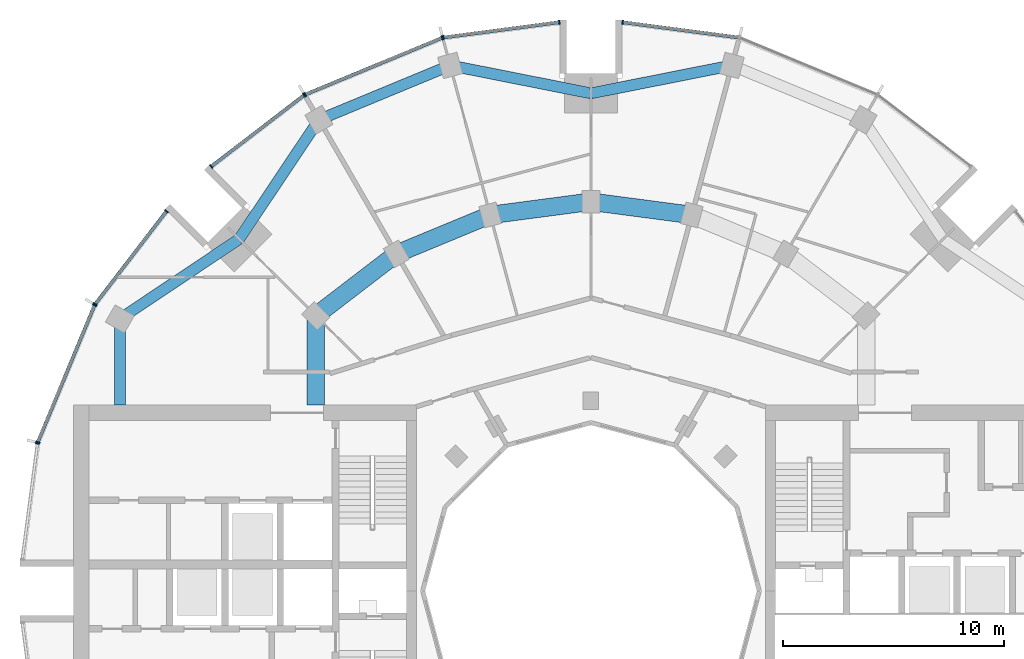
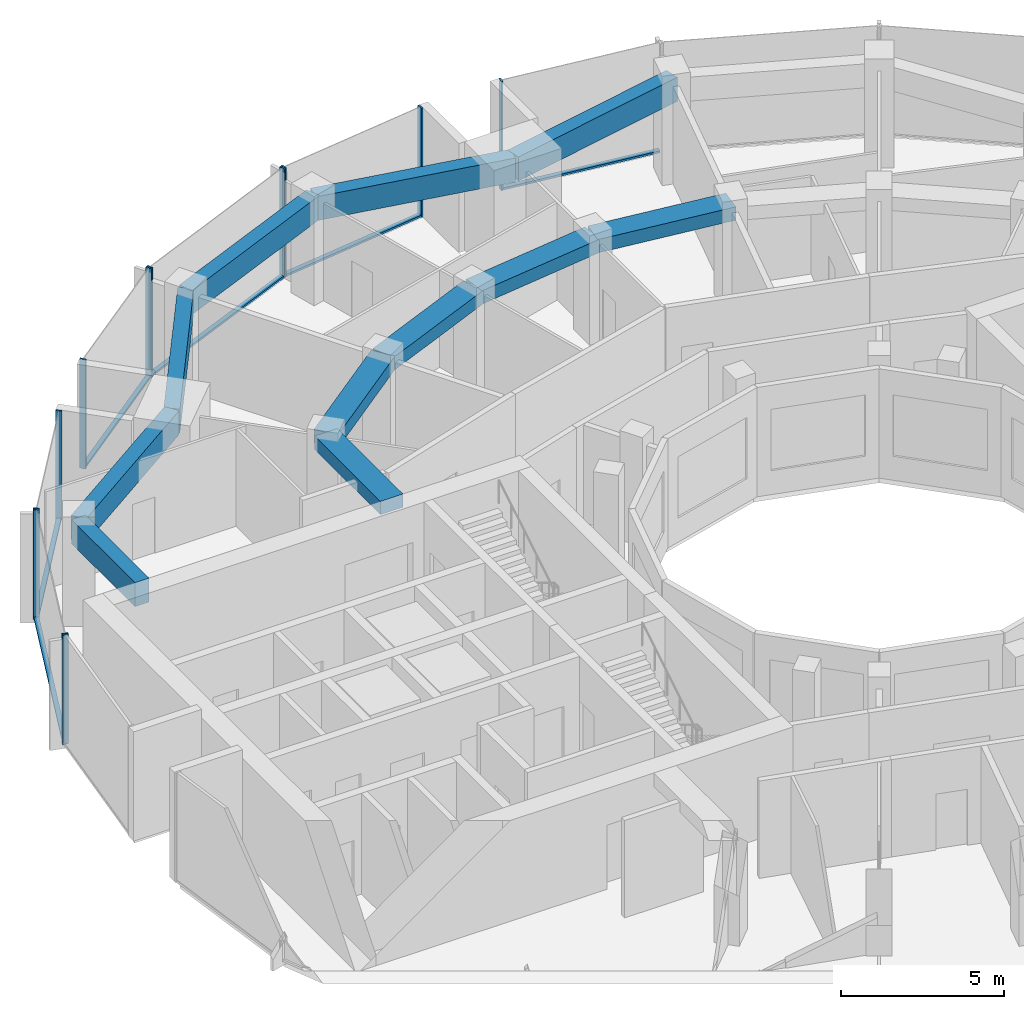
# One storey, part 5 of 15: 18 members, 11 beams, 7 elements without a shape of their own.
"""IFC4 building model written with IfcOpenShell, lengths in metres."""

from ifc_helpers import new_model, si_unit, direction, frame, origin, origin_2d, place, context, subcontext, project, spatial, rectangle, extrude, material, layer, layer_set, material_profile, profile_set, type_object, element, aggregate, save


model = new_model("IFC4")

# Units and contexts
model_context = context("Model", 3, precision=1e-05, world=origin(), true_north=direction((0.0, 1.0)))
body_context = subcontext(model_context, "Body", "Model", "MODEL_VIEW")
ifc_project = project(units=[si_unit("LENGTHUNIT", "METRE"), si_unit("AREAUNIT", "SQUARE_METRE"), si_unit("VOLUMEUNIT", "CUBIC_METRE"), si_unit("PLANEANGLEUNIT", "RADIAN"), si_unit("MASSUNIT", "GRAM", prefix="KILO")], contexts=[model_context])

# Site, building, storey
site_placement = place(None, origin())
site = spatial("IfcSite", under=ifc_project, at=site_placement, CompositionType="ELEMENT")
building_placement = place(site_placement, origin())
building = spatial("IfcBuilding", under=site, at=building_placement, Name="Torre Brocal", CompositionType="ELEMENT")
storey_placement = place(building_placement, frame((0.0, 0.0, 178.199951171875)))
storey = spatial("IfcBuildingStorey", under=building, at=storey_placement, Name="L41", CompositionType="ELEMENT", Elevation=178.199951171875)

# Curtain wall, member
ifc_material_1 = material(Name="Aluminium and glass", Category="aluminium")
ifc_layer_1 = layer(ifc_material_1, 0.199951171875)
ifc_layer_set_1 = layer_set([ifc_layer_1], Name="Aluminium and glass")
curtain_wall_type_1 = type_object("IfcCurtainWallType", Name="CW-1 CURTAIN WALL 4100 HIGH", PredefinedType="NOTDEFINED", material=ifc_layer_set_1)
curtain_wall_1_placement = place(storey_placement, origin())
curtain_wall_1 = element("IfcCurtainWall", 1, at=curtain_wall_1_placement, inside=storey, type_object=curtain_wall_type_1, Name="CW-1 RUN 6", PredefinedType="NOTDEFINED")
ifc_material_2 = material(Name="Aluminium, dark anodised", Category="aluminium")
ifc_material_profile_1 = material_profile(ifc_material_2, rectangle(XDim=0.199951171875, YDim=0.06005859375, at=origin_2d()), Name="CW-1 MULLION 60X200")
ifc_profile_set_1 = profile_set([ifc_material_profile_1], Name="Aluminium, dark anodised")
member_type_1 = type_object("IfcMemberType", Name="CW-1 MULLION 60X200", PredefinedType="MULLION", material=ifc_profile_set_1)
member_1_placement = place(storey_placement, frame((81.4296875, 100.7109375, 0.0), z_axis=(0.0, 0.0, 1.0), x_axis=(-0.13052619222, -0.991444861374, 0.0)))
member_1 = element("IfcMember", 2, at=member_1_placement, type_object=member_type_1, Name="CW1-4 mullion 2", PredefinedType="MULLION", context=body_context, shape_type="SweptSolid", body=[
    extrude(rectangle(XDim=0.199951171875, YDim=0.06005859375, at=origin_2d()), origin(), (0.0, 0.0, 1.0), 4.10009765625),
])

# Curtain wall, members
curtain_wall_2_placement = place(storey_placement, origin())
curtain_wall_2 = element("IfcCurtainWall", 3, at=curtain_wall_2_placement, inside=storey, type_object=curtain_wall_type_1, Name="CW-1 RUN 7", PredefinedType="NOTDEFINED")
member_2_placement = place(storey_placement, frame((78.5703125, 100.7109375, 0.0), z_axis=(0.0, 0.0, 1.0), x_axis=(0.13052619222, -0.991444861374, 0.0)))
member_2 = element("IfcMember", 4, at=member_2_placement, type_object=member_type_1, Name="CW1-4 mullion 1", PredefinedType="MULLION", context=body_context, shape_type="SweptSolid", body=[
    extrude(rectangle(XDim=0.199951171875, YDim=0.06005859375, at=origin_2d()), origin(), (0.0, 0.0, 1.0), 4.10009765625),
])
member_3_placement = place(storey_placement, frame((73.32666015625, 100.0205078125, 0.0), z_axis=(0.0, 0.0, 1.0), x_axis=(0.13052619222, -0.991444861374, 0.0)))
member_3 = element("IfcMember", 5, at=member_3_placement, type_object=member_type_1, Name="CW1-4 mullion 2", PredefinedType="MULLION", context=body_context, shape_type="SweptSolid", body=[
    extrude(rectangle(XDim=0.199951171875, YDim=0.06005859375, at=origin_2d()), origin(), (0.0, 0.0, 1.0), 4.10009765625),
])

curtain_wall_3_placement = place(storey_placement, origin())
curtain_wall_3 = element("IfcCurtainWall", 6, at=curtain_wall_3_placement, inside=storey, type_object=curtain_wall_type_1, Name="CW-1 RUN 8", PredefinedType="NOTDEFINED")
member_4_placement = place(storey_placement, frame((73.26904296875, 100.005126953125, 0.0), z_axis=(0.0, 0.0, 1.0), x_axis=(0.382683432333, -0.923879532525, 0.0)))
member_4 = element("IfcMember", 7, at=member_4_placement, type_object=member_type_1, Name="CW1-4 mullion 1", PredefinedType="MULLION", context=body_context, shape_type="SweptSolid", body=[
    extrude(rectangle(XDim=0.199951171875, YDim=0.06005859375, at=origin_2d()), origin(), (0.0, 0.0, 1.0), 4.10009765625),
])
member_5_placement = place(storey_placement, frame((67.078125, 97.440673828125, 0.0), z_axis=(0.0, 0.0, 1.0), x_axis=(0.382683432333, -0.923879532525, 0.0)))
member_5 = element("IfcMember", 8, at=member_5_placement, type_object=member_type_1, Name="CW1-4 mullion 2", PredefinedType="MULLION", context=body_context, shape_type="SweptSolid", body=[
    extrude(rectangle(XDim=0.199951171875, YDim=0.06005859375, at=origin_2d()), origin(), (0.0, 0.0, 1.0), 4.10009765625),
])

curtain_wall_4_placement = place(storey_placement, origin())
curtain_wall_4 = element("IfcCurtainWall", 9, at=curtain_wall_4_placement, inside=storey, type_object=curtain_wall_type_1, Name="CW-1 RUN 9", PredefinedType="NOTDEFINED")
member_6_placement = place(storey_placement, frame((67.026611328125, 97.4111328125, 0.0), z_axis=(0.0, 0.0, 1.0), x_axis=(0.60876142905, -0.793353340259, 0.0)))
member_6 = element("IfcMember", 10, at=member_6_placement, type_object=member_type_1, Name="CW1-4 mullion 1", PredefinedType="MULLION", context=body_context, shape_type="SweptSolid", body=[
    extrude(rectangle(XDim=0.199951171875, YDim=0.06005859375, at=origin_2d()), origin(), (0.0, 0.0, 1.0), 4.10009765625),
])
member_7_placement = place(storey_placement, frame((62.83056640625, 94.19140625, 0.0), z_axis=(0.0, 0.0, 1.0), x_axis=(0.60876142905, -0.793353340259, 0.0)))
member_7 = element("IfcMember", 11, at=member_7_placement, type_object=member_type_1, Name="CW1-4 mullion 2", PredefinedType="MULLION", context=body_context, shape_type="SweptSolid", body=[
    extrude(rectangle(XDim=0.199951171875, YDim=0.06005859375, at=origin_2d()), origin(), (0.0, 0.0, 1.0), 4.10009765625),
])

curtain_wall_5_placement = place(storey_placement, origin())
curtain_wall_5 = element("IfcCurtainWall", 12, at=curtain_wall_5_placement, inside=storey, type_object=curtain_wall_type_1, Name="CW-1 RUN 10", PredefinedType="NOTDEFINED")
member_8_placement = place(storey_placement, frame((60.80859375, 92.16943359375, 0.0), z_axis=(0.0, 0.0, 1.0), x_axis=(0.793353340259, -0.60876142905, 0.0)))
member_8 = element("IfcMember", 13, at=member_8_placement, type_object=member_type_1, Name="CW1-4 mullion 1", PredefinedType="MULLION", context=body_context, shape_type="SweptSolid", body=[
    extrude(rectangle(XDim=0.199951171875, YDim=0.06005859375, at=origin_2d()), origin(), (0.0, 0.0, 1.0), 4.10009765625),
])
member_9_placement = place(storey_placement, frame((57.5888671875, 87.973388671875, 0.0), z_axis=(0.0, 0.0, 1.0), x_axis=(0.793353340259, -0.60876142905, 0.0)))
member_9 = element("IfcMember", 14, at=member_9_placement, type_object=member_type_1, Name="CW1-4 mullion 2", PredefinedType="MULLION", context=body_context, shape_type="SweptSolid", body=[
    extrude(rectangle(XDim=0.199951171875, YDim=0.06005859375, at=origin_2d()), origin(), (0.0, 0.0, 1.0), 4.10009765625),
])

curtain_wall_6_placement = place(storey_placement, origin())
curtain_wall_6 = element("IfcCurtainWall", 15, at=curtain_wall_6_placement, inside=storey, type_object=curtain_wall_type_1, Name="CW-1 RUN 11", PredefinedType="NOTDEFINED")
member_10_placement = place(storey_placement, frame((57.559326171875, 87.921875, 0.0), z_axis=(0.0, 0.0, 1.0), x_axis=(0.923879532525, -0.382683432333, 0.0)))
member_10 = element("IfcMember", 16, at=member_10_placement, type_object=member_type_1, Name="CW1-4 mullion 1", PredefinedType="MULLION", context=body_context, shape_type="SweptSolid", body=[
    extrude(rectangle(XDim=0.199951171875, YDim=0.06005859375, at=origin_2d()), origin(), (0.0, 0.0, 1.0), 4.10009765625),
])
member_11_placement = place(storey_placement, frame((54.994873046875, 81.73095703125, 0.0), z_axis=(0.0, 0.0, 1.0), x_axis=(0.923879532525, -0.382683432333, 0.0)))
member_11 = element("IfcMember", 17, at=member_11_placement, type_object=member_type_1, Name="CW1-4 mullion 2", PredefinedType="MULLION", context=body_context, shape_type="SweptSolid", body=[
    extrude(rectangle(XDim=0.199951171875, YDim=0.06005859375, at=origin_2d()), origin(), (0.0, 0.0, 1.0), 4.10009765625),
])

# Member
ifc_material_3 = material(Name="Aluminium, dark anodised", Category="aluminium")
ifc_material_profile_2 = material_profile(ifc_material_3, rectangle(XDim=0.159912109375, YDim=0.080078125, at=origin_2d()), Name="CW-1 TRANSOM 160X80")
ifc_profile_set_2 = profile_set([ifc_material_profile_2], Name="Aluminium, dark anodised")
member_type_2 = type_object("IfcMemberType", Name="CW-1 TRANSOM 160X80", PredefinedType="USERDEFINED", material=ifc_profile_set_2)
member_12_placement = place(storey_placement, frame((86.643798828125, 100.0244140625, 0.0400390625), z_axis=(-0.991442690863, 0.130542677827, 0.0), x_axis=(-0.130542677827, -0.991442690863, 0.0)))
member_12 = element("IfcMember", 18, at=member_12_placement, type_object=member_type_2, Name="CW1-4 transom 1.1", ObjectType="TRANSOM", PredefinedType="USERDEFINED", context=body_context, shape_type="SweptSolid", body=[
    extrude(rectangle(XDim=0.159912109375, YDim=0.080078125, at=origin_2d()), origin(), (0.0, 0.0, 1.0), 5.22900390625),
])

aggregate(curtain_wall_1, [member_1, member_12])

member_13_placement = place(storey_placement, frame((78.54052734375, 100.70703125, 0.0400390625), z_axis=(-0.991442690863, -0.130542677827, 0.0), x_axis=(0.130542677827, -0.991442690863, 0.0)))
member_13 = element("IfcMember", 19, at=member_13_placement, type_object=member_type_2, Name="CW1-4 transom 1.1", ObjectType="TRANSOM", PredefinedType="USERDEFINED", context=body_context, shape_type="SweptSolid", body=[
    extrude(rectangle(XDim=0.159912109375, YDim=0.080078125, at=origin_2d()), origin(), (0.0, 0.0, 1.0), 5.22900390625),
])

aggregate(curtain_wall_2, [member_2, member_3, member_13])

member_14_placement = place(storey_placement, frame((73.241455078125, 99.99365234375, 0.0400390625), z_axis=(-0.923887344364, -0.38266457234, 0.0), x_axis=(0.38266457234, -0.923887344364, 0.0)))
member_14 = element("IfcMember", 20, at=member_14_placement, type_object=member_type_2, Name="CW1-4 transom 1.1", ObjectType="TRANSOM", PredefinedType="USERDEFINED", context=body_context, shape_type="SweptSolid", body=[
    extrude(rectangle(XDim=0.159912109375, YDim=0.080078125, at=origin_2d()), origin(), (0.0, 0.0, 1.0), 6.640869140625),
])

aggregate(curtain_wall_3, [member_4, member_5, member_14])

member_15_placement = place(storey_placement, frame((67.0029296875, 97.392822265625, 0.0400390625), z_axis=(-0.79336281513, -0.60874908096, 0.0), x_axis=(0.60874908096, -0.79336281513, 0.0)))
member_15 = element("IfcMember", 21, at=member_15_placement, type_object=member_type_2, Name="CW1-4 transom 1.1", ObjectType="TRANSOM", PredefinedType="USERDEFINED", context=body_context, shape_type="SweptSolid", body=[
    extrude(rectangle(XDim=0.159912109375, YDim=0.080078125, at=origin_2d()), origin(), (0.0, 0.0, 1.0), 5.22900390625),
])

aggregate(curtain_wall_4, [member_6, member_7, member_15])

member_16_placement = place(storey_placement, frame((60.790283203125, 92.1455078125, 0.0400390625), z_axis=(-0.60874908096, -0.79336281513, 0.0), x_axis=(0.79336281513, -0.60874908096, 0.0)))
member_16 = element("IfcMember", 22, at=member_16_placement, type_object=member_type_2, Name="CW1-4 transom 1.1", ObjectType="TRANSOM", PredefinedType="USERDEFINED", context=body_context, shape_type="SweptSolid", body=[
    extrude(rectangle(XDim=0.159912109375, YDim=0.080078125, at=origin_2d()), origin(), (0.0, 0.0, 1.0), 5.22900390625),
])

aggregate(curtain_wall_5, [member_8, member_9, member_16])

member_17_placement = place(storey_placement, frame((57.547607421875, 87.89404296875, 0.0400390625), z_axis=(-0.38266457234, -0.923887344364, 0.0), x_axis=(0.923887344364, -0.38266457234, 0.0)))
member_17 = element("IfcMember", 23, at=member_17_placement, type_object=member_type_2, Name="CW1-4 transom 1.1", ObjectType="TRANSOM", PredefinedType="USERDEFINED", context=body_context, shape_type="SweptSolid", body=[
    extrude(rectangle(XDim=0.159912109375, YDim=0.080078125, at=origin_2d()), origin(), (0.0, 0.0, 1.0), 6.640869140625),
])

aggregate(curtain_wall_6, [member_10, member_11, member_17])

# Curtain wall, member
ifc_material_4 = material(Name="Aluminium and glass", Category="aluminium")
ifc_layer_2 = layer(ifc_material_4, 0.199951171875)
ifc_layer_set_2 = layer_set([ifc_layer_2], Name="Aluminium and glass")
curtain_wall_type_2 = type_object("IfcCurtainWallType", Name="CW-1B CURTAIN WALL 4100 HIGH", PredefinedType="NOTDEFINED", material=ifc_layer_set_2)
curtain_wall_7_placement = place(storey_placement, origin())
curtain_wall_7 = element("IfcCurtainWall", 24, at=curtain_wall_7_placement, inside=storey, type_object=curtain_wall_type_2, Name="CW-1B RUN 12", PredefinedType="NOTDEFINED")
ifc_material_5 = material(Name="Aluminium, dark anodised", Category="aluminium")
ifc_material_profile_3 = material_profile(ifc_material_5, rectangle(XDim=0.199951171875, YDim=0.06005859375, at=origin_2d()), Name="CW-1B MULLION 60X200")
ifc_profile_set_3 = profile_set([ifc_material_profile_3], Name="Aluminium, dark anodised")
member_type_3 = type_object("IfcMemberType", Name="CW-1B MULLION 60X200", PredefinedType="MULLION", material=ifc_profile_set_3)
member_18_placement = place(storey_placement, frame((54.9794921875, 81.67333984375, 0.0), z_axis=(0.0, 0.0, 1.0), x_axis=(0.991444861374, -0.13052619222, 0.0)))
member_18 = element("IfcMember", 25, at=member_18_placement, type_object=member_type_3, Name="CW1B-4 mullion 1", PredefinedType="MULLION", context=body_context, shape_type="SweptSolid", body=[
    extrude(rectangle(XDim=0.199951171875, YDim=0.06005859375, at=origin_2d()), origin(), (0.0, 0.0, 1.0), 4.10009765625),
])
aggregate(curtain_wall_7, [member_18])

# Beams
ifc_material_6 = material(Name="Concrete C50", Category="concrete")
ifc_material_profile_4 = material_profile(ifc_material_6, rectangle(XDim=0.800048828125, YDim=0.5, at=origin_2d()), Name="RC 800X500")
ifc_profile_set_4 = profile_set([ifc_material_profile_4], Name="Concrete C50")
beam_type_1 = type_object("IfcBeamType", Name="RC BEAM 800X500 C50 TOP 3780", PredefinedType="BEAM", material=ifc_profile_set_4)
for number, where, z_axis, x_axis, name in (
    (26, (84.55517578125, 92.000244140625, 3.530029296875), (-0.991440544449, 0.130558978332, 0.0), (-0.130558978332, -0.991440544449, 0.0), "Beam BT-32"),
    (27, (80.0, 92.60009765625, 3.530029296875), (-0.991440544449, -0.130558978332, 0.0), (0.130558978332, -0.991440544449, 0.0), "Beam BT-32"),
):
    element("IfcBeam", number, at=place(storey_placement, frame(where, z_axis=z_axis, x_axis=x_axis)), inside=storey, type_object=beam_type_1, Name=name, PredefinedType="BEAM", context=body_context, shape_type="SweptSolid", body=[
        extrude(rectangle(XDim=0.800048828125, YDim=0.5, at=origin_2d()), origin(), (0.0, 0.0, 1.0), 4.594482421875),
    ])
beam_1_placement = place(storey_placement, frame((75.44482421875, 92.000244140625, 3.530029296875), z_axis=(-0.923878240166, -0.382686552348, 0.0), x_axis=(0.382686552348, -0.923878240166, 0.0)))
element("IfcBeam", 28, at=beam_1_placement, inside=storey, type_object=beam_type_1, Name="Beam BT-32", PredefinedType="BEAM", context=body_context, shape_type="SweptSolid", body=[
    extrude(rectangle(XDim=0.800048828125, YDim=0.5, at=origin_2d()), origin(), (0.0, 0.0, 1.0), 4.5947265625),
])
beam_2_placement = place(storey_placement, frame((71.199951171875, 90.241943359375, 3.530029296875), z_axis=(-0.793358265959, -0.6087550097, 0.0), x_axis=(0.6087550097, -0.793358265959, 0.0)))
element("IfcBeam", 29, at=beam_2_placement, inside=storey, type_object=beam_type_1, Name="Beam BT-32", PredefinedType="BEAM", context=body_context, shape_type="SweptSolid", body=[
    extrude(rectangle(XDim=0.800048828125, YDim=0.5, at=origin_2d()), origin(), (0.0, 0.0, 1.0), 4.594482421875),
])
beam_3_placement = place(storey_placement, frame((67.554931640625, 87.445068359375, 3.530029296875), z_axis=(0.0, -1.0, 0.0), x_axis=(1.0, 0.0, 0.0)))
element("IfcBeam", 30, at=beam_3_placement, inside=storey, type_object=beam_type_1, Name="Beam BT-32", PredefinedType="BEAM", context=body_context, shape_type="SweptSolid", body=[
    extrude(rectangle(XDim=0.800048828125, YDim=0.5, at=origin_2d()), origin(), (0.0, 0.0, 1.0), 4.045166015625),
])
ifc_material_7 = material(Name="Concrete C50", Category="concrete")
ifc_material_profile_5 = material_profile(ifc_material_7, rectangle(XDim=0.5, YDim=0.89990234375, at=origin_2d()), Name="RC 500X900")
ifc_profile_set_5 = profile_set([ifc_material_profile_5], Name="Concrete C50")
beam_type_2 = type_object("IfcBeamType", Name="RC SPANDREL BEAM 500X900 C50 TOP 3780", PredefinedType="SPANDREL", material=ifc_profile_set_5)
for number, where, z_axis, x_axis, name in (
    (31, (86.366943359375, 98.76171875, 3.330078125), (-0.980924907484, -0.194387051723, 0.0), (0.194387051723, -0.980924907484, 0.0), "Beam BT-33"),
    (32, (80.0, 97.5, 3.330078125), (-0.980924907484, 0.194387051723, 0.0), (-0.194387051723, -0.980924907484, 0.0), "Beam BT-33"),
):
    element("IfcBeam", number, at=place(storey_placement, frame(where, z_axis=z_axis, x_axis=x_axis)), inside=storey, type_object=beam_type_2, Name=name, PredefinedType="SPANDREL", context=body_context, shape_type="SweptSolid", body=[
        extrude(rectangle(XDim=0.5, YDim=0.89990234375, at=origin_2d()), origin(), (0.0, 0.0, 1.0), 6.49072265625),
    ])
beam_4_placement = place(storey_placement, frame((73.633056640625, 98.76171875, 3.330078125), z_axis=(-0.923882462513, -0.382676358639, 0.0), x_axis=(0.382676358639, -0.923882462513, 0.0)))
element("IfcBeam", 33, at=beam_4_placement, inside=storey, type_object=beam_type_2, Name="Beam BT-33", PredefinedType="SPANDREL", context=body_context, shape_type="SweptSolid", body=[
    extrude(rectangle(XDim=0.5, YDim=0.89990234375, at=origin_2d()), origin(), (0.0, 0.0, 1.0), 6.421875),
])
for number, where, z_axis, x_axis, name in (
    (34, (67.699951171875, 96.30419921875, 3.330078125), (-0.556157602282, -0.831076844476, 0.0), (0.831076844476, -0.556157602282, 0.0), "Beam BT-33"),
    (35, (64.090087890625, 90.909912109375, 3.330078125), (-0.831076844476, -0.556157602282, 0.0), (0.556157602282, -0.831076844476, 0.0), "Beam BT-33"),
):
    element("IfcBeam", number, at=place(storey_placement, frame(where, z_axis=z_axis, x_axis=x_axis)), inside=storey, type_object=beam_type_2, Name=name, PredefinedType="SPANDREL", context=body_context, shape_type="SweptSolid", body=[
        extrude(rectangle(XDim=0.5, YDim=0.89990234375, at=origin_2d()), origin(), (0.0, 0.0, 1.0), 6.49072265625),
    ])
beam_5_placement = place(storey_placement, frame((58.69580078125, 87.300048828125, 3.330078125), z_axis=(0.0, -1.0, 0.0), x_axis=(1.0, 0.0, 0.0)))
element("IfcBeam", 36, at=beam_5_placement, inside=storey, type_object=beam_type_2, Name="Beam BT-33", PredefinedType="SPANDREL", context=body_context, shape_type="SweptSolid", body=[
    extrude(rectangle(XDim=0.5, YDim=0.89990234375, at=origin_2d()), origin(), (0.0, 0.0, 1.0), 3.900146484375),
])

save(model, "model.ifc")
